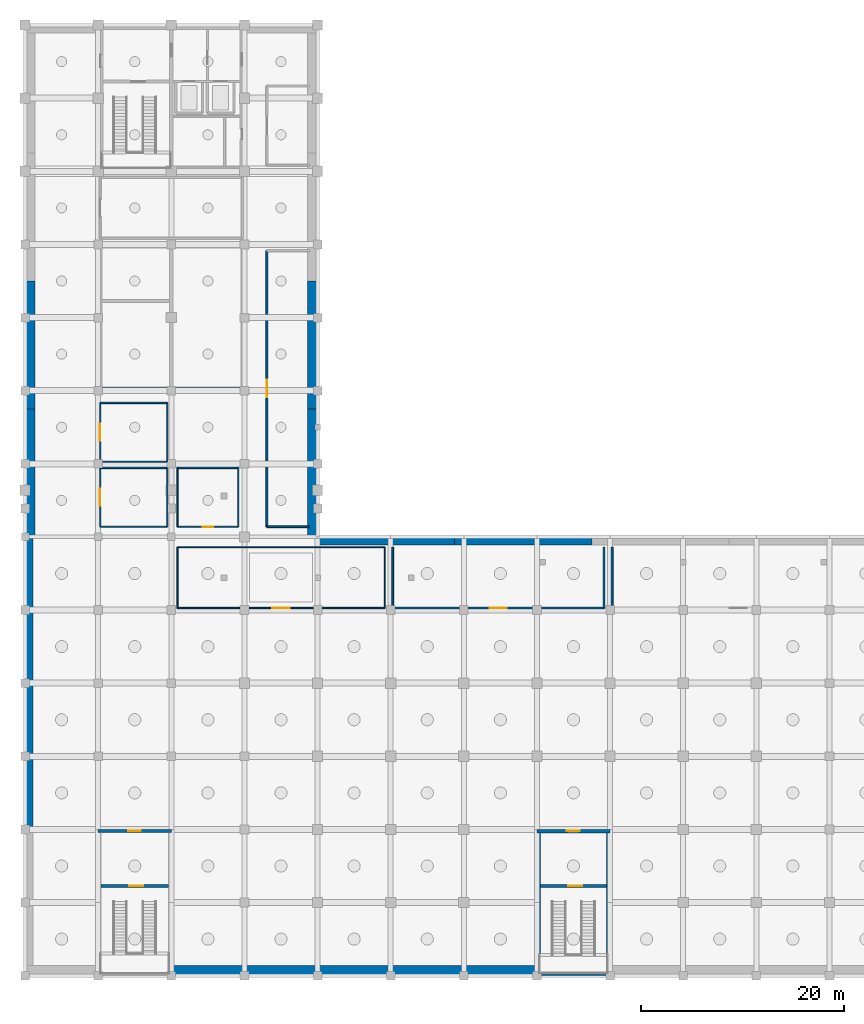
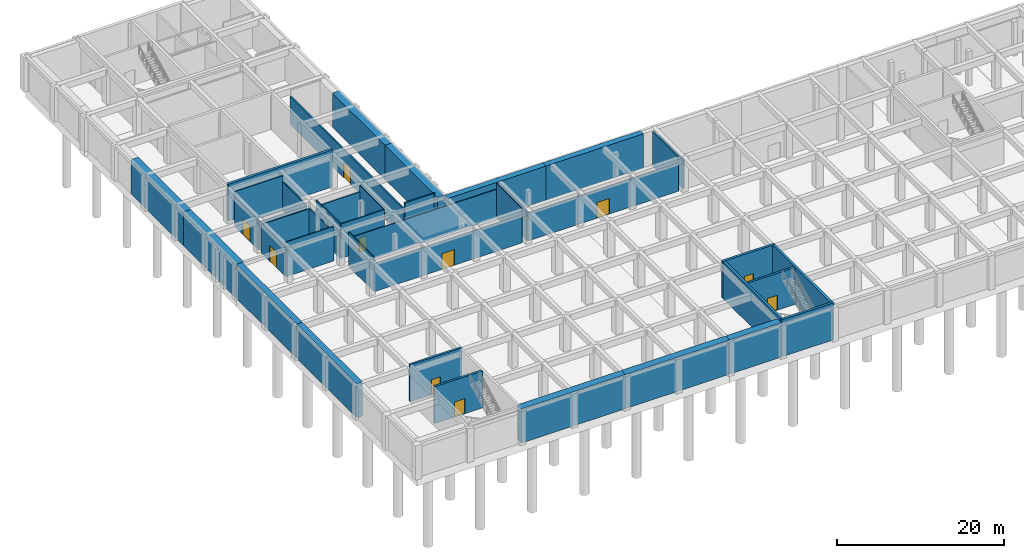
# One storey, part 7 of 15: 41 walls, 10 doors, 10 openings.
"""IFC4 building model written with IfcOpenShell, lengths in metres."""

from ifc_helpers import new_model, si_unit, direction, frame, frame_2d, origin, place, context, subcontext, project, spatial, rectangle, extrude, material, layer, layer_set, type_object, element, fill, save


model = new_model("IFC4")

# Units and contexts
model_context = context("Model", 3, precision=1e-05, world=origin(), true_north=direction((0.0, 1.0)))
body_context = subcontext(model_context, "Body", "Model", "MODEL_VIEW")
ifc_project = project(units=[si_unit("LENGTHUNIT", "METRE"), si_unit("AREAUNIT", "SQUARE_METRE"), si_unit("VOLUMEUNIT", "CUBIC_METRE"), si_unit("PLANEANGLEUNIT", "RADIAN"), si_unit("MASSUNIT", "GRAM", prefix="KILO")], contexts=[model_context])

# Site, building, storey
site_placement = place(None, origin())
site = spatial("IfcSite", under=ifc_project, at=site_placement, CompositionType="ELEMENT")
building_placement = place(site_placement, origin())
building = spatial("IfcBuilding", under=site, at=building_placement, Name="Leyfeld Transit Interchange", CompositionType="ELEMENT")
storey_placement = place(building_placement, frame((0.0, 0.0, -10.800048828125)))
storey = spatial("IfcBuildingStorey", under=building, at=storey_placement, Name="B02", CompositionType="ELEMENT", Elevation=-10.800048828125)

# Walls
ifc_material_1 = material(Name="Concrete C35/45", Category="concrete")
ifc_layer_1 = layer(ifc_material_1, 1.0, Name="Concrete C35/45")
ifc_layer_set_1 = layer_set([ifc_layer_1], Name="Concrete C35/45")
wall_type_1 = type_object("IfcWallType", Name="WL-DW-1000", PredefinedType="USERDEFINED", material=ifc_layer_set_1)
wall_1_placement = place(storey_placement, frame((50.35009765625, 14.89990234375, 0.0), z_axis=(0.0, 0.0, 1.0), x_axis=(-1.0, 0.0, 0.0)))
element("IfcWall", 1, at=wall_1_placement, inside=storey, type_object=wall_type_1, Name="Metro Diaphragm Wall DW-B02-S01-P08", ObjectType="RETAININGWALL", PredefinedType="USERDEFINED", context=body_context, shape_type="SweptSolid", body=[
    extrude(rectangle(XDim=7.150146484375, YDim=1.0, at=frame_2d((3.5751953125, 0.0))), origin(), (0.0, 0.0, 1.0), 5.0),
])
wall_2_placement = place(storey_placement, frame((43.199951171875, 14.89990234375, 0.0), z_axis=(0.0, 0.0, 1.0), x_axis=(-1.0, 0.0, 0.0)))
element("IfcWall", 2, at=wall_2_placement, inside=storey, type_object=wall_type_1, Name="Metro Diaphragm Wall DW-B02-S01-P09", ObjectType="RETAININGWALL", PredefinedType="USERDEFINED", context=body_context, shape_type="SweptSolid", body=[
    extrude(rectangle(XDim=14.39990234375, YDim=1.0, at=frame_2d((7.199951171875, 0.0))), origin(), (0.0, 0.0, 1.0), 5.0),
])
wall_3_placement = place(storey_placement, frame((28.800048828125, 14.89990234375, 0.0), z_axis=(0.0, 0.0, 1.0), x_axis=(-1.0, 0.0, 0.0)))
element("IfcWall", 3, at=wall_3_placement, inside=storey, type_object=wall_type_1, Name="Metro Diaphragm Wall DW-B02-S01-P10", ObjectType="RETAININGWALL", PredefinedType="USERDEFINED", context=body_context, shape_type="SweptSolid", body=[
    extrude(rectangle(XDim=14.35009765625, YDim=1.0, at=frame_2d((7.175048828125, 0.0))), origin(), (0.0, 0.0, 1.0), 5.0),
])
wall_4_placement = place(storey_placement, frame((0.5, 57.60009765625, 0.0), z_axis=(0.0, 0.0, 1.0), x_axis=(0.0, 1.0, 0.0)))
element("IfcWall", 4, at=wall_4_placement, inside=storey, type_object=wall_type_1, Name="Metro Diaphragm Wall DW-B02-S03-P01", ObjectType="RETAININGWALL", PredefinedType="USERDEFINED", context=body_context, shape_type="SweptSolid", body=[
    extrude(rectangle(XDim=12.599853515625, YDim=1.0, at=frame_2d((6.2998046875, 0.0))), origin(), (0.0, 0.0, 1.0), 5.0),
])
for number, where, z_axis, x_axis, name in (
    (5, (0.5, 70.199951171875, 0.0), (0.0, 0.0, 1.0), (0.0, 1.0, 0.0), "Metro Diaphragm Wall DW-B02-S03-P02"),
    (6, (28.300048828125, 82.800048828125, 0.0), (0.0, 0.0, 1.0), (0.0, -1.0, 0.0), "Metro Diaphragm Wall DW-B02-S05-P03"),
):
    element("IfcWall", number, at=place(storey_placement, frame(where, z_axis=z_axis, x_axis=x_axis)), inside=storey, type_object=wall_type_1, Name=name, ObjectType="RETAININGWALL", PredefinedType="USERDEFINED", context=body_context, shape_type="SweptSolid", body=[
        extrude(rectangle(XDim=12.60009765625, YDim=1.0, at=frame_2d((6.300048828125, 0.0))), origin(), (0.0, 0.0, 1.0), 5.0),
    ])
wall_5_placement = place(storey_placement, frame((28.300048828125, 70.199951171875, 0.0), z_axis=(0.0, 0.0, 1.0), x_axis=(0.0, -1.0, 0.0)))
element("IfcWall", 7, at=wall_5_placement, inside=storey, type_object=wall_type_1, Name="Metro Diaphragm Wall DW-B02-S05-P04", ObjectType="RETAININGWALL", PredefinedType="USERDEFINED", context=body_context, shape_type="SweptSolid", body=[
    extrude(rectangle(XDim=12.599853515625, YDim=1.0, at=frame_2d((6.2998046875, 0.0))), origin(), (0.0, 0.0, 1.0), 5.0),
])
ifc_layer_2 = layer(ifc_material_1, 0.800048828125, Name="Concrete C35/45")
ifc_layer_set_2 = layer_set([ifc_layer_2], Name="Concrete C35/45")
wall_type_2 = type_object("IfcWallType", Name="WL-DW-800", PredefinedType="USERDEFINED", material=ifc_layer_set_2)
wall_6_placement = place(storey_placement, frame((0.39990234375, 28.800048828125, 0.0), z_axis=(0.0, 0.0, 1.0), x_axis=(0.0, 1.0, 0.0)))
element("IfcWall", 8, at=wall_6_placement, inside=storey, type_object=wall_type_2, Name="Metro Diaphragm Wall DW-B02-S02-P02", ObjectType="RETAININGWALL", PredefinedType="USERDEFINED", context=body_context, shape_type="SweptSolid", body=[
    extrude(rectangle(XDim=14.39990234375, YDim=0.800048828125, at=frame_2d((7.199951171875, 0.0))), origin(), (0.0, 0.0, 1.0), 5.0),
])
wall_7_placement = place(storey_placement, frame((0.39990234375, 43.199951171875, 0.0), z_axis=(0.0, 0.0, 1.0), x_axis=(0.0, 1.0, 0.0)))
element("IfcWall", 9, at=wall_7_placement, inside=storey, type_object=wall_type_2, Name="Metro Diaphragm Wall DW-B02-S02-P03", ObjectType="RETAININGWALL", PredefinedType="USERDEFINED", context=body_context, shape_type="SweptSolid", body=[
    extrude(rectangle(XDim=14.400146484375, YDim=0.800048828125, at=frame_2d((7.2001953125, 0.0))), origin(), (0.0, 0.0, 1.0), 5.0),
])
for number, where, z_axis, x_axis, name in (
    (10, (28.800048828125, 57.199951171875, 0.0), (0.0, 0.0, 1.0), (1.0, 0.0, 0.0), "Metro Diaphragm Wall DW-B02-S06-P01"),
    (11, (42.300048828125, 57.199951171875, 0.0), (0.0, 0.0, 1.0), (1.0, 0.0, 0.0), "Metro Diaphragm Wall DW-B02-S06-P02"),
):
    element("IfcWall", number, at=place(storey_placement, frame(where, z_axis=z_axis, x_axis=x_axis)), inside=storey, type_object=wall_type_2, Name=name, ObjectType="RETAININGWALL", PredefinedType="USERDEFINED", context=body_context, shape_type="SweptSolid", body=[
        extrude(rectangle(XDim=13.5, YDim=0.800048828125, at=frame_2d((6.75, 0.0))), origin(), (0.0, 0.0, 1.0), 5.0),
    ])

# Wall, opening, door
ifc_material_2 = material(Name="Calcium silicate masonry", Category="masonry")
ifc_layer_3 = layer(ifc_material_2, 0.175048828125, Name="Calcium silicate masonry")
ifc_layer_set_3 = layer_set([ifc_layer_3], Name="Calcium silicate masonry")
wall_type_3 = type_object("IfcWallType", Name="WL-INT-COR-175", PredefinedType="PARTITIONING", material=ifc_layer_set_3)
wall_8_placement = place(storey_placement, frame((57.0, 50.60009765625, 0.0), z_axis=(0.0, 0.0, 1.0), x_axis=(-1.0, 0.0, 0.0)))
wall_8 = element("IfcWall", 12, at=wall_8_placement, inside=storey, type_object=wall_type_3, Name="Interior Partition B02-STO-01 S", PredefinedType="PARTITIONING", context=body_context, shape_type="SweptSolid", body=[
    extrude(rectangle(XDim=20.800048828125, YDim=0.175048828125, at=frame_2d((10.39990234375, 0.0))), origin(), (0.0, 0.0, 1.0), 4.10009765625),
])
opening_1_placement = place(wall_8_placement, frame((9.56005859375, 0.0, 0.0)))
opening_1 = element("IfcOpeningElement", 13, at=opening_1_placement, cuts=wall_8, Name="Opening DU-17", PredefinedType="OPENING", context=body_context, shape_type="SweptSolid", body=[
    extrude(rectangle(XDim=1.679931640625, YDim=2.280029296875, at=frame_2d((0.83984375, 1.14013671875))), frame((0.0, 0.097412109375, 0.0), z_axis=(0.0, -1.0, 0.0), x_axis=(1.0, 0.0, 0.0)), (0.0, 0.0, 1.0), 0.195068359375),
])
ifc_material_3 = material(Name="Austrian larch glulam GL28h", Category="wood")
door_type_1 = type_object("IfcDoorType", Name="DR-UNQ-17", OperationType="NOTDEFINED", PredefinedType="DOOR", material=ifc_material_3)
door_1_placement = place(opening_1_placement, origin())
door_1 = element("IfcDoor", 14, at=door_1_placement, inside=storey, type_object=door_type_1, Name="DR-B02-STO-01", OperationType="DOUBLE_DOOR_SINGLE_SWING", OverallHeight=2.280029296875, OverallWidth=1.679931640625, PredefinedType="DOOR", context=body_context, shape_type="SweptSolid", body=[
    extrude(rectangle(XDim=1.679931640625, YDim=2.280029296875, at=frame_2d((0.83984375, 1.14013671875))), frame((0.0, 0.02490234375, 0.0), z_axis=(0.0, -1.0, 0.0), x_axis=(1.0, 0.0, 0.0)), (0.0, 0.0, 1.0), 0.050048828125),
])
fill(opening_1, door_1)

# Walls
wall_9_placement = place(storey_placement, frame((57.0, 56.60009765625, 0.0), z_axis=(0.0, 0.0, 1.0), x_axis=(0.0, -1.0, 0.0)))
element("IfcWall", 15, at=wall_9_placement, inside=storey, type_object=wall_type_3, Name="Interior Partition B02-STO-01 E", PredefinedType="PARTITIONING", context=body_context, shape_type="SweptSolid", body=[
    extrude(rectangle(XDim=6.0, YDim=0.175048828125, at=frame_2d((3.0, 0.0))), origin(), (0.0, 0.0, 1.0), 5.050048828125),
])
wall_10_placement = place(storey_placement, frame((36.199951171875, 50.60009765625, 0.0), z_axis=(0.0, 0.0, 1.0), x_axis=(0.0, 1.0, 0.0)))
element("IfcWall", 16, at=wall_10_placement, inside=storey, type_object=wall_type_3, Name="Interior Partition B02-STO-01 W", PredefinedType="PARTITIONING", context=body_context, shape_type="SweptSolid", body=[
    extrude(rectangle(XDim=6.0, YDim=0.175048828125, at=frame_2d((3.0, 0.0))), origin(), (0.0, 0.0, 1.0), 4.199951171875),
])
ifc_material_4 = material(Name="Gypsum plasterboard acoustic stud", Category="gypsum")
ifc_layer_4 = layer(ifc_material_4, 0.114990234375, Name="Gypsum plasterboard acoustic stud")
ifc_layer_set_4 = layer_set([ifc_layer_4], Name="Gypsum plasterboard acoustic stud")
wall_type_4 = type_object("IfcWallType", Name="WL-INT-OFF-115", PredefinedType="PARTITIONING", material=ifc_layer_set_4)
wall_11_placement = place(storey_placement, frame((15.0, 56.60009765625, 0.0), z_axis=(0.0, 0.0, 1.0), x_axis=(1.0, 0.0, 0.0)))
element("IfcWall", 17, at=wall_11_placement, inside=storey, type_object=wall_type_4, Name="Interior Partition B02-SUP-01 N", PredefinedType="PARTITIONING", context=body_context, shape_type="SweptSolid", body=[
    extrude(rectangle(XDim=20.39990234375, YDim=0.114990234375, at=frame_2d((10.199951171875, 0.0))), origin(), (0.0, 0.0, 1.0), 4.199951171875),
])

# Wall, opening, door
wall_12_placement = place(storey_placement, frame((35.39990234375, 50.60009765625, 0.0), z_axis=(0.0, 0.0, 1.0), x_axis=(-1.0, 0.0, 0.0)))
wall_12 = element("IfcWall", 18, at=wall_12_placement, inside=storey, type_object=wall_type_4, Name="Interior Partition B02-SUP-01 S", PredefinedType="PARTITIONING", context=body_context, shape_type="SweptSolid", body=[
    extrude(rectangle(XDim=20.39990234375, YDim=0.114990234375, at=frame_2d((10.199951171875, 0.0))), origin(), (0.0, 0.0, 1.0), 4.10009765625),
])
opening_2_placement = place(wall_12_placement, frame((9.360107421875, 0.0, 0.0)))
opening_2 = element("IfcOpeningElement", 19, at=opening_2_placement, cuts=wall_12, Name="Opening DU-17", PredefinedType="OPENING", context=body_context, shape_type="SweptSolid", body=[
    extrude(rectangle(XDim=1.679931640625, YDim=2.280029296875, at=frame_2d((0.83984375, 1.14013671875))), frame((0.0, 0.0673828125, 0.0), z_axis=(0.0, -1.0, 0.0), x_axis=(1.0, 0.0, 0.0)), (0.0, 0.0, 1.0), 0.135009765625),
])
door_2_placement = place(opening_2_placement, origin())
door_2 = element("IfcDoor", 20, at=door_2_placement, inside=storey, type_object=door_type_1, Name="DR-B02-SUP-01", OperationType="DOUBLE_DOOR_SINGLE_SWING", OverallHeight=2.280029296875, OverallWidth=1.679931640625, PredefinedType="DOOR", context=body_context, shape_type="SweptSolid", body=[
    extrude(rectangle(XDim=1.679931640625, YDim=2.280029296875, at=frame_2d((0.83984375, 1.14013671875))), frame((0.0, 0.02490234375, 0.0), z_axis=(0.0, -1.0, 0.0), x_axis=(1.0, 0.0, 0.0)), (0.0, 0.0, 1.0), 0.050048828125),
])
fill(opening_2, door_2)

# Walls
for number, where, z_axis, x_axis, name in (
    (21, (35.39990234375, 56.60009765625, 0.0), (0.0, 0.0, 1.0), (0.0, -1.0, 0.0), "Interior Partition B02-SUP-01 E"),
    (22, (15.0, 50.60009765625, 0.0), (0.0, 0.0, 1.0), (0.0, 1.0, 0.0), "Interior Partition B02-SUP-01 W"),
):
    element("IfcWall", number, at=place(storey_placement, frame(where, z_axis=z_axis, x_axis=x_axis)), inside=storey, type_object=wall_type_4, Name=name, PredefinedType="PARTITIONING", context=body_context, shape_type="SweptSolid", body=[
        extrude(rectangle(XDim=6.0, YDim=0.114990234375, at=frame_2d((3.0, 0.0))), origin(), (0.0, 0.0, 1.0), 5.050048828125),
    ])
ifc_layer_5 = layer(ifc_material_2, 0.18994140625, Name="Calcium silicate masonry")
ifc_layer_set_5 = layer_set([ifc_layer_5], Name="Calcium silicate masonry")
wall_type_5 = type_object("IfcWallType", Name="WL-INT-PLT-190", PredefinedType="PARTITIONING", material=ifc_layer_set_5)
wall_13_placement = place(storey_placement, frame((57.800048828125, 50.60009765625, 0.0), z_axis=(0.0, 0.0, 1.0), x_axis=(0.0, 1.0, 0.0)))
element("IfcWall", 23, at=wall_13_placement, inside=storey, type_object=wall_type_5, Name="Interior Partition B02-PMP-01 W", PredefinedType="PARTITIONING", context=body_context, shape_type="SweptSolid", body=[
    extrude(rectangle(XDim=6.0, YDim=0.18994140625, at=frame_2d((3.0, 0.0))), origin(), (0.0, 0.0, 1.0), 4.199951171875),
])
wall_14_placement = place(storey_placement, frame((28.0, 58.60009765625, 0.0), z_axis=(0.0, 0.0, 1.0), x_axis=(-1.0, 0.0, 0.0)))
element("IfcWall", 24, at=wall_14_placement, inside=storey, type_object=wall_type_5, Name="Interior Partition B02-SWG-01 S", PredefinedType="PARTITIONING", context=body_context, shape_type="SweptSolid", body=[
    extrude(rectangle(XDim=4.199951171875, YDim=0.18994140625, at=frame_2d((2.10009765625, 0.0))), origin(), (0.0, 0.0, 1.0), 5.050048828125),
])

# Wall, opening, door
wall_15_placement = place(storey_placement, frame((23.800048828125, 58.60009765625, 0.0), z_axis=(0.0, 0.0, 1.0), x_axis=(0.0, 1.0, 0.0)))
wall_15 = element("IfcWall", 25, at=wall_15_placement, inside=storey, type_object=wall_type_5, Name="Interior Partition B02-SWG-01 W", PredefinedType="PARTITIONING", context=body_context, shape_type="SweptSolid", body=[
    extrude(rectangle(XDim=27.199951171875, YDim=0.18994140625, at=frame_2d((13.60009765625, 0.0))), origin(), (0.0, 0.0, 1.0), 4.1201171875),
])
opening_3_placement = place(wall_15_placement, frame((12.739990234375, 0.0, 0.0)))
opening_3 = element("IfcOpeningElement", 26, at=opening_3_placement, cuts=wall_15, Name="Opening DU-18", PredefinedType="OPENING", context=body_context, shape_type="SweptSolid", body=[
    extrude(rectangle(XDim=1.719970703125, YDim=2.219970703125, at=frame_2d((0.85986328125, 1.10986328125))), frame((0.0, 0.10498046875, 0.0), z_axis=(0.0, -1.0, 0.0), x_axis=(1.0, 0.0, 0.0)), (0.0, 0.0, 1.0), 0.2099609375),
])
door_type_2 = type_object("IfcDoorType", Name="DR-UNQ-18", OperationType="NOTDEFINED", PredefinedType="DOOR", material=ifc_material_3)
door_3_placement = place(opening_3_placement, origin())
door_3 = element("IfcDoor", 27, at=door_3_placement, inside=storey, type_object=door_type_2, Name="DR-B02-SWG-01", OperationType="DOUBLE_DOOR_SINGLE_SWING", OverallHeight=2.219970703125, OverallWidth=1.719970703125, PredefinedType="DOOR", context=body_context, shape_type="SweptSolid", body=[
    extrude(rectangle(XDim=1.719970703125, YDim=2.219970703125, at=frame_2d((0.85986328125, 1.10986328125))), frame((0.0, 0.02490234375, 0.0), z_axis=(0.0, -1.0, 0.0), x_axis=(1.0, 0.0, 0.0)), (0.0, 0.0, 1.0), 0.050048828125),
])
fill(opening_3, door_3)

# Walls
ifc_material_5 = material(Name="Autoclaved aerated blockwork G4", Category="masonry")
ifc_layer_6 = layer(ifc_material_5, 0.125, Name="Autoclaved aerated blockwork G4")
ifc_layer_set_6 = layer_set([ifc_layer_6], Name="Autoclaved aerated blockwork G4")
wall_type_6 = type_object("IfcWallType", Name="WL-INT-WC-125", PredefinedType="PARTITIONING", material=ifc_layer_set_6)
wall_16_placement = place(storey_placement, frame((7.39990234375, 64.39990234375, 0.0), z_axis=(0.0, 0.0, 1.0), x_axis=(1.0, 0.0, 0.0)))
element("IfcWall", 28, at=wall_16_placement, inside=storey, type_object=wall_type_6, Name="Interior Partition B02-WCM-01 N", PredefinedType="PARTITIONING", context=body_context, shape_type="SweptSolid", body=[
    extrude(rectangle(XDim=6.60009765625, YDim=0.125, at=frame_2d((3.300048828125, 0.0))), origin(), (0.0, 0.0, 1.0), 4.1201171875),
])
wall_17_placement = place(storey_placement, frame((14.0, 58.60009765625, 0.0), z_axis=(0.0, 0.0, 1.0), x_axis=(-1.0, 0.0, 0.0)))
element("IfcWall", 29, at=wall_17_placement, inside=storey, type_object=wall_type_6, Name="Interior Partition B02-WCM-01 S", PredefinedType="PARTITIONING", context=body_context, shape_type="SweptSolid", body=[
    extrude(rectangle(XDim=6.60009765625, YDim=0.125, at=frame_2d((3.300048828125, 0.0))), origin(), (0.0, 0.0, 1.0), 5.050048828125),
])
wall_18_placement = place(storey_placement, frame((14.0, 64.39990234375, 0.0), z_axis=(0.0, 0.0, 1.0), x_axis=(0.0, -1.0, 0.0)))
element("IfcWall", 30, at=wall_18_placement, inside=storey, type_object=wall_type_6, Name="Interior Partition B02-WCM-01 E", PredefinedType="PARTITIONING", context=body_context, shape_type="SweptSolid", body=[
    extrude(rectangle(XDim=5.7998046875, YDim=0.125, at=frame_2d((2.89990234375, 0.0))), origin(), (0.0, 0.0, 1.0), 4.219970703125),
])

# Wall, opening, door
wall_19_placement = place(storey_placement, frame((7.39990234375, 58.60009765625, 0.0), z_axis=(0.0, 0.0, 1.0), x_axis=(0.0, 1.0, 0.0)))
wall_19 = element("IfcWall", 31, at=wall_19_placement, inside=storey, type_object=wall_type_6, Name="Interior Partition B02-WCM-01 W", PredefinedType="PARTITIONING", context=body_context, shape_type="SweptSolid", body=[
    extrude(rectangle(XDim=5.7998046875, YDim=0.125, at=frame_2d((2.89990234375, 0.0))), origin(), (0.0, 0.0, 1.0), 4.219970703125),
])
opening_4_placement = place(wall_19_placement, frame((2.06005859375, 0.0, 0.0)))
opening_4 = element("IfcOpeningElement", 32, at=opening_4_placement, cuts=wall_19, Name="Opening DU-17", PredefinedType="OPENING", context=body_context, shape_type="SweptSolid", body=[
    extrude(rectangle(XDim=1.679931640625, YDim=2.280029296875, at=frame_2d((0.83984375, 1.14013671875))), frame((0.0, 0.072509765625, 0.0), z_axis=(0.0, -1.0, 0.0), x_axis=(1.0, 0.0, 0.0)), (0.0, 0.0, 1.0), 0.14501953125),
])
door_4_placement = place(opening_4_placement, origin())
door_4 = element("IfcDoor", 33, at=door_4_placement, inside=storey, type_object=door_type_1, Name="DR-B02-WCM-01", OperationType="DOUBLE_DOOR_SINGLE_SWING", OverallHeight=2.280029296875, OverallWidth=1.679931640625, PredefinedType="DOOR", context=body_context, shape_type="SweptSolid", body=[
    extrude(rectangle(XDim=1.679931640625, YDim=2.280029296875, at=frame_2d((0.83984375, 1.14013671875))), frame((0.0, 0.02490234375, 0.0), z_axis=(0.0, -1.0, 0.0), x_axis=(1.0, 0.0, 0.0)), (0.0, 0.0, 1.0), 0.050048828125),
])
fill(opening_4, door_4)

# Walls
wall_20_placement = place(storey_placement, frame((7.39990234375, 70.800048828125, 0.0), z_axis=(0.0, 0.0, 1.0), x_axis=(1.0, 0.0, 0.0)))
element("IfcWall", 34, at=wall_20_placement, inside=storey, type_object=wall_type_6, Name="Interior Partition B02-WCF-01 N", PredefinedType="PARTITIONING", context=body_context, shape_type="SweptSolid", body=[
    extrude(rectangle(XDim=6.60009765625, YDim=0.125, at=frame_2d((3.300048828125, 0.0))), origin(), (0.0, 0.0, 1.0), 5.050048828125),
])
wall_21_placement = place(storey_placement, frame((14.0, 65.0, 0.0), z_axis=(0.0, 0.0, 1.0), x_axis=(-1.0, 0.0, 0.0)))
element("IfcWall", 35, at=wall_21_placement, inside=storey, type_object=wall_type_6, Name="Interior Partition B02-WCF-01 S", PredefinedType="PARTITIONING", context=body_context, shape_type="SweptSolid", body=[
    extrude(rectangle(XDim=6.60009765625, YDim=0.125, at=frame_2d((3.300048828125, 0.0))), origin(), (0.0, 0.0, 1.0), 4.1201171875),
])
wall_22_placement = place(storey_placement, frame((14.0, 70.800048828125, 0.0), z_axis=(0.0, 0.0, 1.0), x_axis=(0.0, -1.0, 0.0)))
element("IfcWall", 36, at=wall_22_placement, inside=storey, type_object=wall_type_6, Name="Interior Partition B02-WCF-01 E", PredefinedType="PARTITIONING", context=body_context, shape_type="SweptSolid", body=[
    extrude(rectangle(XDim=5.800048828125, YDim=0.125, at=frame_2d((2.89990234375, 0.0))), origin(), (0.0, 0.0, 1.0), 4.219970703125),
])

# Wall, opening, door
wall_23_placement = place(storey_placement, frame((7.39990234375, 65.0, 0.0), z_axis=(0.0, 0.0, 1.0), x_axis=(0.0, 1.0, 0.0)))
wall_23 = element("IfcWall", 37, at=wall_23_placement, inside=storey, type_object=wall_type_6, Name="Interior Partition B02-WCF-01 W", PredefinedType="PARTITIONING", context=body_context, shape_type="SweptSolid", body=[
    extrude(rectangle(XDim=5.800048828125, YDim=0.125, at=frame_2d((2.89990234375, 0.0))), origin(), (0.0, 0.0, 1.0), 4.219970703125),
])
opening_5_placement = place(wall_23_placement, frame((2.06005859375, 0.0, 0.0)))
opening_5 = element("IfcOpeningElement", 38, at=opening_5_placement, cuts=wall_23, Name="Opening DU-17", PredefinedType="OPENING", context=body_context, shape_type="SweptSolid", body=[
    extrude(rectangle(XDim=1.679931640625, YDim=2.280029296875, at=frame_2d((0.83984375, 1.14013671875))), frame((0.0, 0.072509765625, 0.0), z_axis=(0.0, -1.0, 0.0), x_axis=(1.0, 0.0, 0.0)), (0.0, 0.0, 1.0), 0.14501953125),
])
door_5_placement = place(opening_5_placement, origin())
door_5 = element("IfcDoor", 39, at=door_5_placement, inside=storey, type_object=door_type_1, Name="DR-B02-WCF-01", OperationType="DOUBLE_DOOR_SINGLE_SWING", OverallHeight=2.280029296875, OverallWidth=1.679931640625, PredefinedType="DOOR", context=body_context, shape_type="SweptSolid", body=[
    extrude(rectangle(XDim=1.679931640625, YDim=2.280029296875, at=frame_2d((0.83984375, 1.14013671875))), frame((0.0, 0.02490234375, 0.0), z_axis=(0.0, -1.0, 0.0), x_axis=(1.0, 0.0, 0.0)), (0.0, 0.0, 1.0), 0.050048828125),
])
fill(opening_5, door_5)

# Wall
wall_24_placement = place(storey_placement, frame((15.0, 64.39990234375, 0.0), z_axis=(0.0, 0.0, 1.0), x_axis=(1.0, 0.0, 0.0)))
element("IfcWall", 40, at=wall_24_placement, inside=storey, type_object=wall_type_6, Name="Interior Partition B02-WCA-01 N", PredefinedType="PARTITIONING", context=body_context, shape_type="SweptSolid", body=[
    extrude(rectangle(XDim=6.0, YDim=0.125, at=frame_2d((3.0, 0.0))), origin(), (0.0, 0.0, 1.0), 4.1201171875),
])

# Wall, opening, door
wall_25_placement = place(storey_placement, frame((21.0, 58.60009765625, 0.0), z_axis=(0.0, 0.0, 1.0), x_axis=(-1.0, 0.0, 0.0)))
wall_25 = element("IfcWall", 41, at=wall_25_placement, inside=storey, type_object=wall_type_6, Name="Interior Partition B02-WCA-01 S", PredefinedType="PARTITIONING", context=body_context, shape_type="SweptSolid", body=[
    extrude(rectangle(XDim=6.0, YDim=0.125, at=frame_2d((3.0, 0.0))), origin(), (0.0, 0.0, 1.0), 5.050048828125),
])
opening_6_placement = place(wall_25_placement, frame((2.47509765625, 0.0, 0.0)))
opening_6 = element("IfcOpeningElement", 42, at=opening_6_placement, cuts=wall_25, Name="Opening DI-09", PredefinedType="OPENING", context=body_context, shape_type="SweptSolid", body=[
    extrude(rectangle(XDim=1.050048828125, YDim=2.10009765625, at=frame_2d((0.52490234375, 1.050048828125))), frame((0.0, 0.072509765625, 0.0), z_axis=(0.0, -1.0, 0.0), x_axis=(1.0, 0.0, 0.0)), (0.0, 0.0, 1.0), 0.14501953125),
])
door_type_3 = type_object("IfcDoorType", Name="DR-WCA-1050x2100", OperationType="NOTDEFINED", PredefinedType="DOOR", material=ifc_material_3)
door_6_placement = place(opening_6_placement, origin())
door_6 = element("IfcDoor", 43, at=door_6_placement, inside=storey, type_object=door_type_3, Name="DR-B02-WCA-01", OperationType="SINGLE_SWING_LEFT", OverallHeight=2.10009765625, OverallWidth=1.050048828125, PredefinedType="DOOR", context=body_context, shape_type="SweptSolid", body=[
    extrude(rectangle(XDim=1.050048828125, YDim=2.10009765625, at=frame_2d((0.52490234375, 1.050048828125))), frame((0.0, 0.02490234375, 0.0), z_axis=(0.0, -1.0, 0.0), x_axis=(1.0, 0.0, 0.0)), (0.0, 0.0, 1.0), 0.050048828125),
])
fill(opening_6, door_6)

# Walls
for number, where, z_axis, x_axis, name in (
    (44, (21.0, 64.39990234375, 0.0), (0.0, 0.0, 1.0), (0.0, -1.0, 0.0), "Interior Partition B02-WCA-01 E"),
    (45, (15.0, 58.60009765625, 0.0), (0.0, 0.0, 1.0), (0.0, 1.0, 0.0), "Interior Partition B02-WCA-01 W"),
):
    element("IfcWall", number, at=place(storey_placement, frame(where, z_axis=z_axis, x_axis=x_axis)), inside=storey, type_object=wall_type_6, Name=name, PredefinedType="PARTITIONING", context=body_context, shape_type="SweptSolid", body=[
        extrude(rectangle(XDim=5.7998046875, YDim=0.125, at=frame_2d((2.89990234375, 0.0))), origin(), (0.0, 0.0, 1.0), 5.050048828125),
    ])

# Wall, opening, door
ifc_layer_7 = layer(ifc_material_1, 0.300048828125, Name="Concrete C35/45")
ifc_layer_set_7 = layer_set([ifc_layer_7], Name="Concrete C35/45")
wall_type_7 = type_object("IfcWallType", Name="WL-SH-300", PredefinedType="SHEAR", material=ifc_layer_set_7)
wall_26_placement = place(storey_placement, frame((7.47998046875, 23.25, 0.0), z_axis=(0.0, 0.0, 1.0), x_axis=(1.0, 0.0, 0.0)))
wall_26 = element("IfcWall", 46, at=wall_26_placement, inside=storey, type_object=wall_type_7, Name="Core K6 Shear Wall STRN B02", PredefinedType="SHEAR", context=body_context, shape_type="SweptSolid", body=[
    extrude(rectangle(XDim=6.64013671875, YDim=0.300048828125, at=frame_2d((3.320068359375, 0.0))), origin(), (0.0, 0.0, 1.0), 5.400146484375),
])
opening_7_placement = place(wall_26_placement, frame((2.760009765625, 0.0, 0.0)))
opening_7 = element("IfcOpeningElement", 47, at=opening_7_placement, cuts=wall_26, Name="Opening DI-01", PredefinedType="OPENING", context=body_context, shape_type="SweptSolid", body=[
    extrude(rectangle(XDim=1.39990234375, YDim=2.199951171875, at=frame_2d((0.699951171875, 1.10009765625))), frame((0.0, 0.159912109375, 0.0), z_axis=(0.0, -1.0, 0.0), x_axis=(1.0, 0.0, 0.0)), (0.0, 0.0, 1.0), 0.320068359375),
])
ifc_material_6 = material(Name="Galvanised steel S275JR", Category="steel")
door_type_4 = type_object("IfcDoorType", Name="DR-STR-1400x2200", OperationType="NOTDEFINED", PredefinedType="DOOR", material=ifc_material_6)
door_7_placement = place(opening_7_placement, origin())
door_7 = element("IfcDoor", 48, at=door_7_placement, inside=storey, type_object=door_type_4, Name="DR-STR-INT-K6-B02", OperationType="SINGLE_SWING_LEFT", OverallHeight=2.199951171875, OverallWidth=1.39990234375, PredefinedType="DOOR", context=body_context, shape_type="SweptSolid", body=[
    extrude(rectangle(XDim=1.39990234375, YDim=2.199951171875, at=frame_2d((0.699951171875, 1.10009765625))), frame((0.0, 0.02490234375, 0.0), z_axis=(0.0, -1.0, 0.0), x_axis=(1.0, 0.0, 0.0)), (0.0, 0.0, 1.0), 0.050048828125),
])
fill(opening_7, door_7)

wall_27_placement = place(storey_placement, frame((50.72998046875, 23.25, 0.0), z_axis=(0.0, 0.0, 1.0), x_axis=(1.0, 0.0, 0.0)))
wall_27 = element("IfcWall", 49, at=wall_27_placement, inside=storey, type_object=wall_type_7, Name="Core K8 Shear Wall STRN B02", PredefinedType="SHEAR", context=body_context, shape_type="SweptSolid", body=[
    extrude(rectangle(XDim=6.5400390625, YDim=0.300048828125, at=frame_2d((3.27001953125, 0.0))), origin(), (0.0, 0.0, 1.0), 5.400146484375),
])
opening_8_placement = place(wall_27_placement, frame((2.735107421875, 0.0, 0.0)))
opening_8 = element("IfcOpeningElement", 50, at=opening_8_placement, cuts=wall_27, Name="Opening DI-01", PredefinedType="OPENING", context=body_context, shape_type="SweptSolid", body=[
    extrude(rectangle(XDim=1.39990234375, YDim=2.199951171875, at=frame_2d((0.699951171875, 1.10009765625))), frame((0.0, 0.159912109375, 0.0), z_axis=(0.0, -1.0, 0.0), x_axis=(1.0, 0.0, 0.0)), (0.0, 0.0, 1.0), 0.320068359375),
])
door_8_placement = place(opening_8_placement, origin())
door_8 = element("IfcDoor", 51, at=door_8_placement, inside=storey, type_object=door_type_4, Name="DR-STR-INT-K8-B02", OperationType="SINGLE_SWING_RIGHT", OverallHeight=2.199951171875, OverallWidth=1.39990234375, PredefinedType="DOOR", context=body_context, shape_type="SweptSolid", body=[
    extrude(rectangle(XDim=1.39990234375, YDim=2.199951171875, at=frame_2d((0.699951171875, 1.10009765625))), frame((0.0, 0.02490234375, 0.0), z_axis=(0.0, -1.0, 0.0), x_axis=(1.0, 0.0, 0.0)), (0.0, 0.0, 1.0), 0.050048828125),
])
fill(opening_8, door_8)

# Wall
ifc_layer_8 = layer(ifc_material_1, 0.35009765625, Name="Concrete C35/45")
ifc_layer_set_8 = layer_set([ifc_layer_8], Name="Concrete C35/45")
wall_type_8 = type_object("IfcWallType", Name="WL-SH-350", PredefinedType="SHEAR", material=ifc_layer_set_8)
wall_28_placement = place(storey_placement, frame((21.60009765625, 72.175048828125, 0.0), z_axis=(0.0, 0.0, 1.0), x_axis=(-1.0, 0.0, 0.0)))
element("IfcWall", 52, at=wall_28_placement, inside=storey, type_object=wall_type_8, Name="Core K3 Shear Wall S B02", PredefinedType="SHEAR", context=body_context, shape_type="SweptSolid", body=[
    extrude(rectangle(XDim=14.400146484375, YDim=0.35009765625, at=frame_2d((7.2001953125, 0.0))), origin(), (0.0, 0.0, 1.0), 5.400146484375),
])

# Wall, opening, door
ifc_layer_9 = layer(ifc_material_1, 0.280029296875, Name="Concrete C35/45")
ifc_layer_set_9 = layer_set([ifc_layer_9], Name="Concrete C35/45")
wall_type_9 = type_object("IfcWallType", Name="WL-SH-VAR-280", PredefinedType="SHEAR", material=ifc_layer_set_9)
wall_29_placement = place(storey_placement, frame((7.199951171875, 28.659912109375, 0.0), z_axis=(0.0, 0.0, 1.0), x_axis=(1.0, 0.0, 0.0)))
wall_29 = element("IfcWall", 53, at=wall_29_placement, inside=storey, type_object=wall_type_9, Name="Core K6 Shear Wall N B02", PredefinedType="SHEAR", context=body_context, shape_type="SweptSolid", body=[
    extrude(rectangle(XDim=7.199951171875, YDim=0.280029296875, at=frame_2d((3.60009765625, 0.0))), origin(), (0.0, 0.0, 1.0), 5.400146484375),
])
opening_9_placement = place(wall_29_placement, frame((2.949951171875, 0.0, 0.0)))
opening_9 = element("IfcOpeningElement", 54, at=opening_9_placement, cuts=wall_29, Name="Opening DI-02", PredefinedType="OPENING", context=body_context, shape_type="SweptSolid", body=[
    extrude(rectangle(XDim=1.25, YDim=2.199951171875, at=frame_2d((0.625, 1.10009765625))), frame((0.0, 0.14990234375, 0.0), z_axis=(0.0, -1.0, 0.0), x_axis=(1.0, 0.0, 0.0)), (0.0, 0.0, 1.0), 0.300048828125),
])
door_type_5 = type_object("IfcDoorType", Name="DR-FFL-1250x2200", OperationType="NOTDEFINED", PredefinedType="DOOR", material=ifc_material_6)
door_9_placement = place(opening_9_placement, origin())
door_9 = element("IfcDoor", 55, at=door_9_placement, inside=storey, type_object=door_type_5, Name="DR-CORE-OUT-K6-B02", OperationType="SINGLE_SWING_RIGHT", OverallHeight=2.199951171875, OverallWidth=1.25, PredefinedType="DOOR", context=body_context, shape_type="SweptSolid", body=[
    extrude(rectangle(XDim=1.25, YDim=2.199951171875, at=frame_2d((0.625, 1.10009765625))), frame((0.0, 0.02490234375, 0.0), z_axis=(0.0, -1.0, 0.0), x_axis=(1.0, 0.0, 0.0)), (0.0, 0.0, 1.0), 0.050048828125),
])
fill(opening_9, door_9)

ifc_layer_10 = layer(ifc_material_1, 0.330078125, Name="Concrete C35/45")
ifc_layer_set_10 = layer_set([ifc_layer_10], Name="Concrete C35/45")
wall_type_10 = type_object("IfcWallType", Name="WL-SH-VAR-330", PredefinedType="SHEAR", material=ifc_layer_set_10)
wall_30_placement = place(storey_placement, frame((50.39990234375, 28.635009765625, 0.0), z_axis=(0.0, 0.0, 1.0), x_axis=(1.0, 0.0, 0.0)))
wall_30 = element("IfcWall", 56, at=wall_30_placement, inside=storey, type_object=wall_type_10, Name="Core K8 Shear Wall N B02", PredefinedType="SHEAR", context=body_context, shape_type="SweptSolid", body=[
    extrude(rectangle(XDim=7.2001953125, YDim=0.330078125, at=frame_2d((3.60009765625, 0.0))), origin(), (0.0, 0.0, 1.0), 5.400146484375),
])
opening_10_placement = place(wall_30_placement, frame((2.949951171875, 0.0, 0.0)))
opening_10 = element("IfcOpeningElement", 57, at=opening_10_placement, cuts=wall_30, Name="Opening DI-02", PredefinedType="OPENING", context=body_context, shape_type="SweptSolid", body=[
    extrude(rectangle(XDim=1.25, YDim=2.199951171875, at=frame_2d((0.625, 1.10009765625))), frame((0.0, 0.175048828125, 0.0), z_axis=(0.0, -1.0, 0.0), x_axis=(1.0, 0.0, 0.0)), (0.0, 0.0, 1.0), 0.35009765625),
])
door_10_placement = place(opening_10_placement, origin())
door_10 = element("IfcDoor", 58, at=door_10_placement, inside=storey, type_object=door_type_5, Name="DR-CORE-OUT-K8-B02", OperationType="SINGLE_SWING_LEFT", OverallHeight=2.199951171875, OverallWidth=1.25, PredefinedType="DOOR", context=body_context, shape_type="SweptSolid", body=[
    extrude(rectangle(XDim=1.25, YDim=2.199951171875, at=frame_2d((0.625, 1.10009765625))), frame((0.0, 0.02490234375, 0.0), z_axis=(0.0, -1.0, 0.0), x_axis=(1.0, 0.0, 0.0)), (0.0, 0.0, 1.0), 0.050048828125),
])
fill(opening_10, door_10)

# Walls
wall_31_placement = place(storey_placement, frame((57.43505859375, 28.469970703125, 0.0), z_axis=(0.0, 0.0, 1.0), x_axis=(0.0, -1.0, 0.0)))
element("IfcWall", 59, at=wall_31_placement, inside=storey, type_object=wall_type_10, Name="Core K8 Shear Wall E B02", PredefinedType="SHEAR", context=body_context, shape_type="SweptSolid", body=[
    extrude(rectangle(XDim=13.739990234375, YDim=0.330078125, at=frame_2d((6.8701171875, 0.0))), origin(), (0.0, 0.0, 1.0), 5.400146484375),
])
wall_32_placement = place(storey_placement, frame((57.60009765625, 14.56494140625, 0.0), z_axis=(0.0, 0.0, 1.0), x_axis=(-1.0, 0.0, 0.0)))
element("IfcWall", 60, at=wall_32_placement, inside=storey, type_object=wall_type_10, Name="Core K8 Shear Wall S B02", PredefinedType="SHEAR", context=body_context, shape_type="SweptSolid", body=[
    extrude(rectangle(XDim=7.2001953125, YDim=0.330078125, at=frame_2d((3.60009765625, 0.0))), origin(), (0.0, 0.0, 1.0), 5.400146484375),
])
wall_33_placement = place(storey_placement, frame((50.56494140625, 14.72998046875, 0.0), z_axis=(0.0, 0.0, 1.0), x_axis=(0.0, 1.0, 0.0)))
element("IfcWall", 61, at=wall_33_placement, inside=storey, type_object=wall_type_10, Name="Core K8 Shear Wall W B02", PredefinedType="SHEAR", context=body_context, shape_type="SweptSolid", body=[
    extrude(rectangle(XDim=13.739990234375, YDim=0.330078125, at=frame_2d((6.8701171875, 0.0))), origin(), (0.0, 0.0, 1.0), 5.400146484375),
])

save(model, "model.ifc")
